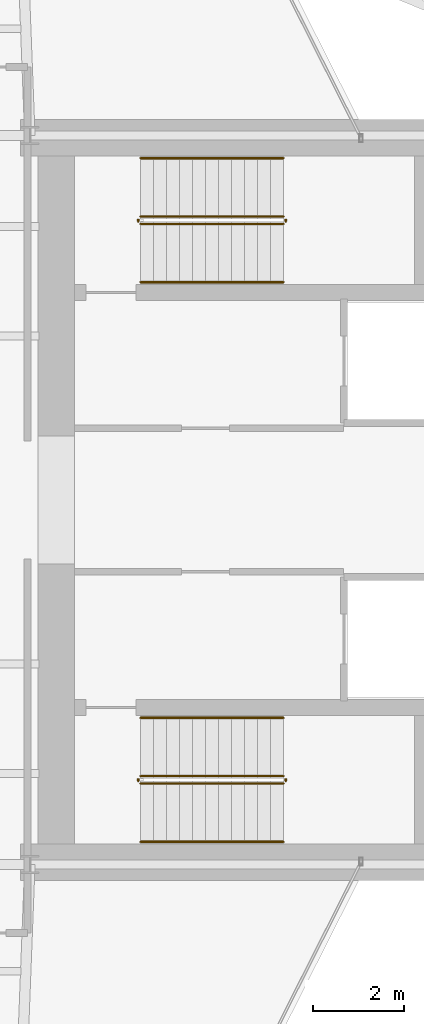
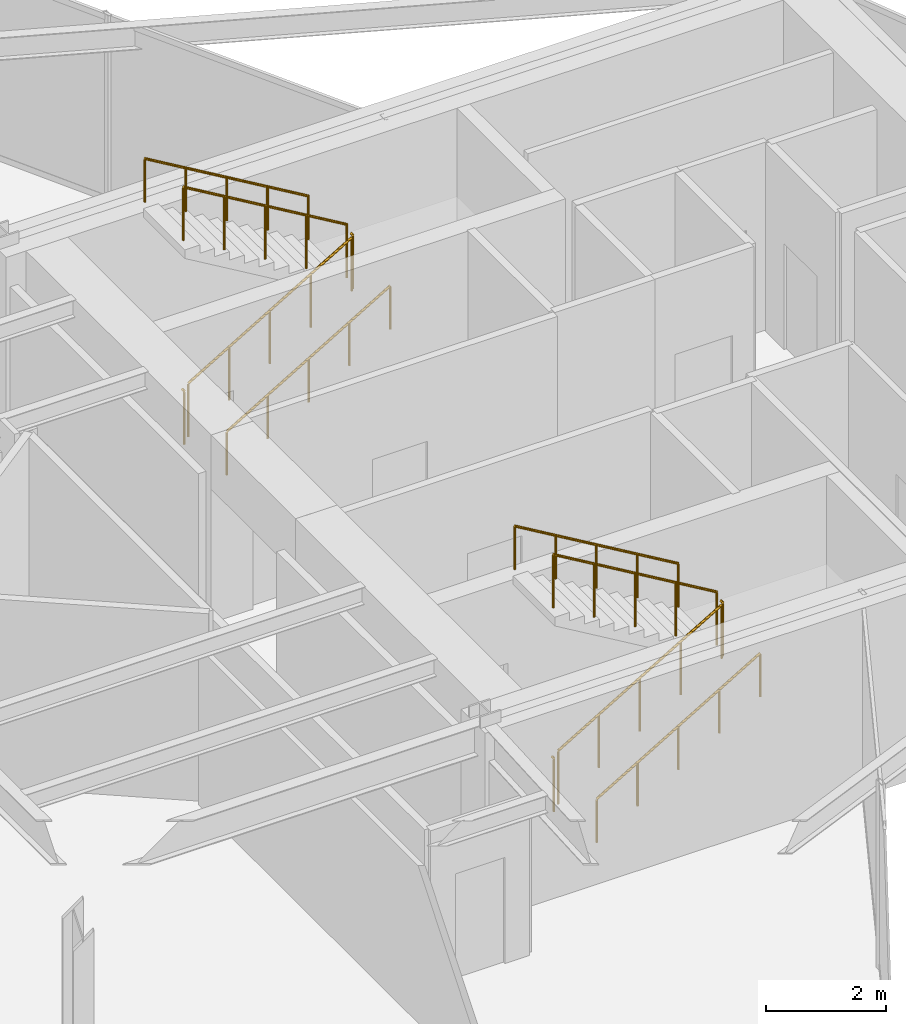
# One storey, part 25 of 25: 12 railings.
"""IFC4 building model written with IfcOpenShell, lengths in metres."""

from ifc_helpers import new_model, si_unit, direction, frame, origin, origin_2d, place, context, subcontext, project, spatial, circle, extrude, material, type_object, element, save


model = new_model("IFC4")

# Units and contexts
model_context = context("Model", 3, precision=1e-05, world=origin(), true_north=direction((0.0, 1.0)))
body_context = subcontext(model_context, "Body", "Model", "MODEL_VIEW")
ifc_project = project(units=[si_unit("LENGTHUNIT", "METRE"), si_unit("AREAUNIT", "SQUARE_METRE"), si_unit("VOLUMEUNIT", "CUBIC_METRE"), si_unit("PLANEANGLEUNIT", "RADIAN"), si_unit("MASSUNIT", "GRAM", prefix="KILO")], contexts=[model_context])

# Site, building, storey
site_placement = place(None, origin())
site = spatial("IfcSite", under=ifc_project, at=site_placement, CompositionType="ELEMENT")
building_placement = place(site_placement, origin())
building = spatial("IfcBuilding", under=site, at=building_placement, Name="Veymaron Broadcast Tower", CompositionType="ELEMENT")
storey_placement = place(building_placement, frame((0.0, 0.0, 137.10009765625)))
storey = spatial("IfcBuildingStorey", under=building, at=storey_placement, Name="L31", CompositionType="ELEMENT", Elevation=137.10009765625)

# Railings
ifc_material_1 = material(Name="Brushed stainless steel AISI 304", Category="steel")
railing_type_1 = type_object("IfcRailingType", Name="RAIL-STAIR-HR", PredefinedType="HANDRAIL", material=ifc_material_1)
railing_1_placement = place(storey_placement, frame((41.429931640625, 28.780029296875, 0.168701171875)))
element("IfcRailing", 1, at=railing_1_placement, inside=storey, type_object=railing_type_1, Name="L31 ST1 stair handrail 1", PredefinedType="HANDRAIL", context=body_context, shape_type="SweptSolid", body=[
    extrude(circle(Radius=0.02392578125, at=origin_2d()), frame((0.0, 0.0, 0.8759765625), z_axis=(0.860481960309, 0.0, 0.509480908359), x_axis=(0.0, 1.0, 0.0)), (0.0, 0.0, 1.0), 3.643310546875),
    extrude(circle(Radius=0.02099609375, at=origin_2d()), origin(), (0.0, 0.0, 1.0), 0.851806640625),
    extrude(circle(Radius=0.02099609375, at=origin_2d()), frame((0.78369140625, 0.0, 0.464111328125)), (0.0, 0.0, 1.0), 0.851806640625),
    extrude(circle(Radius=0.02099609375, at=origin_2d()), frame((1.5673828125, 0.0, 0.92822265625)), (0.0, 0.0, 1.0), 0.851806640625),
    extrude(circle(Radius=0.02099609375, at=origin_2d()), frame((2.351318359375, 0.0, 1.39208984375)), (0.0, 0.0, 1.0), 0.851806640625),
    extrude(circle(Radius=0.02099609375, at=origin_2d()), frame((3.135009765625, 0.0, 1.856201171875)), (0.0, 0.0, 1.0), 0.851806640625),
])
railing_2_placement = place(storey_placement, frame((44.56494140625, 31.5, 2.193603515625)))
element("IfcRailing", 2, at=railing_2_placement, inside=storey, type_object=railing_type_1, Name="L31 ST1 stair handrail 2", PredefinedType="HANDRAIL", context=body_context, shape_type="SweptSolid", body=[
    extrude(circle(Radius=0.02392578125, at=origin_2d()), frame((0.0, 0.0, 0.8759765625), z_axis=(-0.860481960309, 0.0, 0.509480908359), x_axis=(0.0, -1.0, 0.0)), (0.0, 0.0, 1.0), 3.643310546875),
    extrude(circle(Radius=0.02099609375, at=origin_2d()), origin(), (0.0, 0.0, 1.0), 0.851806640625),
    extrude(circle(Radius=0.02099609375, at=origin_2d()), frame((-0.78369140625, 0.0, 0.464111328125)), (0.0, 0.0, 1.0), 0.851806640625),
    extrude(circle(Radius=0.02099609375, at=origin_2d()), frame((-1.5673828125, 0.0, 0.92822265625)), (0.0, 0.0, 1.0), 0.851806640625),
    extrude(circle(Radius=0.02099609375, at=origin_2d()), frame((-2.351318359375, 0.0, 1.39208984375)), (0.0, 0.0, 1.0), 0.851806640625),
    extrude(circle(Radius=0.02099609375, at=origin_2d()), frame((-3.135009765625, 0.0, 1.856201171875)), (0.0, 0.0, 1.0), 0.851806640625),
])
railing_3_placement = place(storey_placement, frame((41.429931640625, 16.5, 0.168701171875)))
element("IfcRailing", 3, at=railing_3_placement, inside=storey, type_object=railing_type_1, Name="L31 ST2 stair handrail 1", PredefinedType="HANDRAIL", context=body_context, shape_type="SweptSolid", body=[
    extrude(circle(Radius=0.02392578125, at=origin_2d()), frame((0.0, 0.0, 0.8759765625), z_axis=(0.860481960309, 0.0, 0.509480908359), x_axis=(0.0, 1.0, 0.0)), (0.0, 0.0, 1.0), 3.643310546875),
    extrude(circle(Radius=0.02099609375, at=origin_2d()), origin(), (0.0, 0.0, 1.0), 0.851806640625),
    extrude(circle(Radius=0.02099609375, at=origin_2d()), frame((0.78369140625, 0.0, 0.464111328125)), (0.0, 0.0, 1.0), 0.851806640625),
    extrude(circle(Radius=0.02099609375, at=origin_2d()), frame((1.5673828125, 0.0, 0.92822265625)), (0.0, 0.0, 1.0), 0.851806640625),
    extrude(circle(Radius=0.02099609375, at=origin_2d()), frame((2.351318359375, 0.0, 1.39208984375)), (0.0, 0.0, 1.0), 0.851806640625),
    extrude(circle(Radius=0.02099609375, at=origin_2d()), frame((3.135009765625, 0.0, 1.856201171875)), (0.0, 0.0, 1.0), 0.851806640625),
])
railing_4_placement = place(storey_placement, frame((44.56494140625, 19.219970703125, 2.193603515625)))
element("IfcRailing", 4, at=railing_4_placement, inside=storey, type_object=railing_type_1, Name="L31 ST2 stair handrail 2", PredefinedType="HANDRAIL", context=body_context, shape_type="SweptSolid", body=[
    extrude(circle(Radius=0.02392578125, at=origin_2d()), frame((0.0, 0.0, 0.8759765625), z_axis=(-0.860481960309, 0.0, 0.509480908359), x_axis=(0.0, -1.0, 0.0)), (0.0, 0.0, 1.0), 3.643310546875),
    extrude(circle(Radius=0.02099609375, at=origin_2d()), origin(), (0.0, 0.0, 1.0), 0.851806640625),
    extrude(circle(Radius=0.02099609375, at=origin_2d()), frame((-0.78369140625, 0.0, 0.464111328125)), (0.0, 0.0, 1.0), 0.851806640625),
    extrude(circle(Radius=0.02099609375, at=origin_2d()), frame((-1.5673828125, 0.0, 0.92822265625)), (0.0, 0.0, 1.0), 0.851806640625),
    extrude(circle(Radius=0.02099609375, at=origin_2d()), frame((-2.351318359375, 0.0, 1.39208984375)), (0.0, 0.0, 1.0), 0.851806640625),
    extrude(circle(Radius=0.02099609375, at=origin_2d()), frame((-3.135009765625, 0.0, 1.856201171875)), (0.0, 0.0, 1.0), 0.851806640625),
])
ifc_material_2 = material(Name="Painted galvanized steel balustrade", Category="steel")
railing_type_2 = type_object("IfcRailingType", Name="RAIL-WELL-GRD", PredefinedType="GUARDRAIL", material=ifc_material_2)
railing_5_placement = place(storey_placement, frame((41.429931640625, 30.06005859375, 0.168701171875)))
element("IfcRailing", 5, at=railing_5_placement, inside=storey, type_object=railing_type_2, Name="L31 ST1 stair guard 1", PredefinedType="GUARDRAIL", context=body_context, shape_type="SweptSolid", body=[
    extrude(circle(Radius=0.02392578125, at=origin_2d()), frame((0.0, 0.0, 1.076171875), z_axis=(0.860481960309, 0.0, 0.509480908359), x_axis=(0.0, 1.0, 0.0)), (0.0, 0.0, 1.0), 3.643310546875),
    extrude(circle(Radius=0.02099609375, at=origin_2d()), origin(), (0.0, 0.0, 1.0), 1.052001953125),
    extrude(circle(Radius=0.02099609375, at=origin_2d()), frame((0.78369140625, 0.0, 0.464111328125)), (0.0, 0.0, 1.0), 1.052001953125),
    extrude(circle(Radius=0.02099609375, at=origin_2d()), frame((1.5673828125, 0.0, 0.92822265625)), (0.0, 0.0, 1.0), 1.052001953125),
    extrude(circle(Radius=0.02099609375, at=origin_2d()), frame((2.351318359375, 0.0, 1.39208984375)), (0.0, 0.0, 1.0), 1.052001953125),
    extrude(circle(Radius=0.02099609375, at=origin_2d()), frame((3.135009765625, 0.0, 1.856201171875)), (0.0, 0.0, 1.0), 1.052001953125),
])
railing_6_placement = place(storey_placement, frame((44.614990234375, 30.110107421875, 2.02490234375)))
element("IfcRailing", 6, at=railing_6_placement, inside=storey, type_object=railing_type_2, Name="L31 ST1 stair guard 2", PredefinedType="GUARDRAIL", context=body_context, shape_type="SweptSolid", body=[
    extrude(circle(Radius=0.02392578125, at=origin_2d()), frame((0.0, 0.0, 1.076171875), z_axis=(0.0, 1.0, 0.0), x_axis=(-1.0, 0.0, 0.0)), (0.0, 0.0, 1.0), 0.059814453125),
    extrude(circle(Radius=0.02099609375, at=origin_2d()), origin(), (0.0, 0.0, 1.0), 1.052001953125),
])
railing_7_placement = place(storey_placement, frame((44.56494140625, 30.219970703125, 2.193603515625)))
element("IfcRailing", 7, at=railing_7_placement, inside=storey, type_object=railing_type_2, Name="L31 ST1 stair guard 3", PredefinedType="GUARDRAIL", context=body_context, shape_type="SweptSolid", body=[
    extrude(circle(Radius=0.02392578125, at=origin_2d()), frame((0.0, 0.0, 1.076171875), z_axis=(-0.860481960309, 0.0, 0.509480908359), x_axis=(0.0, -1.0, 0.0)), (0.0, 0.0, 1.0), 3.643310546875),
    extrude(circle(Radius=0.02099609375, at=origin_2d()), origin(), (0.0, 0.0, 1.0), 1.052001953125),
    extrude(circle(Radius=0.02099609375, at=origin_2d()), frame((-0.78369140625, 0.0, 0.464111328125)), (0.0, 0.0, 1.0), 1.052001953125),
    extrude(circle(Radius=0.02099609375, at=origin_2d()), frame((-1.5673828125, 0.0, 0.92822265625)), (0.0, 0.0, 1.0), 1.052001953125),
    extrude(circle(Radius=0.02099609375, at=origin_2d()), frame((-2.351318359375, 0.0, 1.39208984375)), (0.0, 0.0, 1.0), 1.052001953125),
    extrude(circle(Radius=0.02099609375, at=origin_2d()), frame((-3.135009765625, 0.0, 1.856201171875)), (0.0, 0.0, 1.0), 1.052001953125),
])
railing_8_placement = place(storey_placement, frame((41.3798828125, 30.110107421875, 0.0)))
element("IfcRailing", 8, at=railing_8_placement, inside=storey, type_object=railing_type_2, Name="L31 ST1 stair guard 4", PredefinedType="GUARDRAIL", context=body_context, shape_type="SweptSolid", body=[
    extrude(circle(Radius=0.02392578125, at=origin_2d()), frame((0.0, 0.0, 1.076171875), z_axis=(0.0, 1.0, 0.0), x_axis=(-1.0, 0.0, 0.0)), (0.0, 0.0, 1.0), 0.059814453125),
    extrude(circle(Radius=0.02099609375, at=origin_2d()), origin(), (0.0, 0.0, 1.0), 1.052001953125),
])
railing_9_placement = place(storey_placement, frame((41.429931640625, 17.780029296875, 0.168701171875)))
element("IfcRailing", 9, at=railing_9_placement, inside=storey, type_object=railing_type_2, Name="L31 ST2 stair guard 1", PredefinedType="GUARDRAIL", context=body_context, shape_type="SweptSolid", body=[
    extrude(circle(Radius=0.02392578125, at=origin_2d()), frame((0.0, 0.0, 1.076171875), z_axis=(0.860481960309, 0.0, 0.509480908359), x_axis=(0.0, 1.0, 0.0)), (0.0, 0.0, 1.0), 3.643310546875),
    extrude(circle(Radius=0.02099609375, at=origin_2d()), origin(), (0.0, 0.0, 1.0), 1.052001953125),
    extrude(circle(Radius=0.02099609375, at=origin_2d()), frame((0.78369140625, 0.0, 0.464111328125)), (0.0, 0.0, 1.0), 1.052001953125),
    extrude(circle(Radius=0.02099609375, at=origin_2d()), frame((1.5673828125, 0.0, 0.92822265625)), (0.0, 0.0, 1.0), 1.052001953125),
    extrude(circle(Radius=0.02099609375, at=origin_2d()), frame((2.351318359375, 0.0, 1.39208984375)), (0.0, 0.0, 1.0), 1.052001953125),
    extrude(circle(Radius=0.02099609375, at=origin_2d()), frame((3.135009765625, 0.0, 1.856201171875)), (0.0, 0.0, 1.0), 1.052001953125),
])
railing_10_placement = place(storey_placement, frame((44.614990234375, 17.830078125, 2.02490234375)))
element("IfcRailing", 10, at=railing_10_placement, inside=storey, type_object=railing_type_2, Name="L31 ST2 stair guard 2", PredefinedType="GUARDRAIL", context=body_context, shape_type="SweptSolid", body=[
    extrude(circle(Radius=0.02392578125, at=origin_2d()), frame((0.0, 0.0, 1.076171875), z_axis=(0.0, 1.0, 0.0), x_axis=(-1.0, 0.0, 0.0)), (0.0, 0.0, 1.0), 0.059814453125),
    extrude(circle(Radius=0.02099609375, at=origin_2d()), origin(), (0.0, 0.0, 1.0), 1.052001953125),
])
railing_11_placement = place(storey_placement, frame((44.56494140625, 17.93994140625, 2.193603515625)))
element("IfcRailing", 11, at=railing_11_placement, inside=storey, type_object=railing_type_2, Name="L31 ST2 stair guard 3", PredefinedType="GUARDRAIL", context=body_context, shape_type="SweptSolid", body=[
    extrude(circle(Radius=0.02392578125, at=origin_2d()), frame((0.0, 0.0, 1.076171875), z_axis=(-0.860481960309, 0.0, 0.509480908359), x_axis=(0.0, -1.0, 0.0)), (0.0, 0.0, 1.0), 3.643310546875),
    extrude(circle(Radius=0.02099609375, at=origin_2d()), origin(), (0.0, 0.0, 1.0), 1.052001953125),
    extrude(circle(Radius=0.02099609375, at=origin_2d()), frame((-0.78369140625, 0.0, 0.464111328125)), (0.0, 0.0, 1.0), 1.052001953125),
    extrude(circle(Radius=0.02099609375, at=origin_2d()), frame((-1.5673828125, 0.0, 0.92822265625)), (0.0, 0.0, 1.0), 1.052001953125),
    extrude(circle(Radius=0.02099609375, at=origin_2d()), frame((-2.351318359375, 0.0, 1.39208984375)), (0.0, 0.0, 1.0), 1.052001953125),
    extrude(circle(Radius=0.02099609375, at=origin_2d()), frame((-3.135009765625, 0.0, 1.856201171875)), (0.0, 0.0, 1.0), 1.052001953125),
])
railing_12_placement = place(storey_placement, frame((41.3798828125, 17.830078125, 0.0)))
element("IfcRailing", 12, at=railing_12_placement, inside=storey, type_object=railing_type_2, Name="L31 ST2 stair guard 4", PredefinedType="GUARDRAIL", context=body_context, shape_type="SweptSolid", body=[
    extrude(circle(Radius=0.02392578125, at=origin_2d()), frame((0.0, 0.0, 1.076171875), z_axis=(0.0, 1.0, 0.0), x_axis=(-1.0, 0.0, 0.0)), (0.0, 0.0, 1.0), 0.059814453125),
    extrude(circle(Radius=0.02099609375, at=origin_2d()), origin(), (0.0, 0.0, 1.0), 1.052001953125),
])

save(model, "model.ifc")
